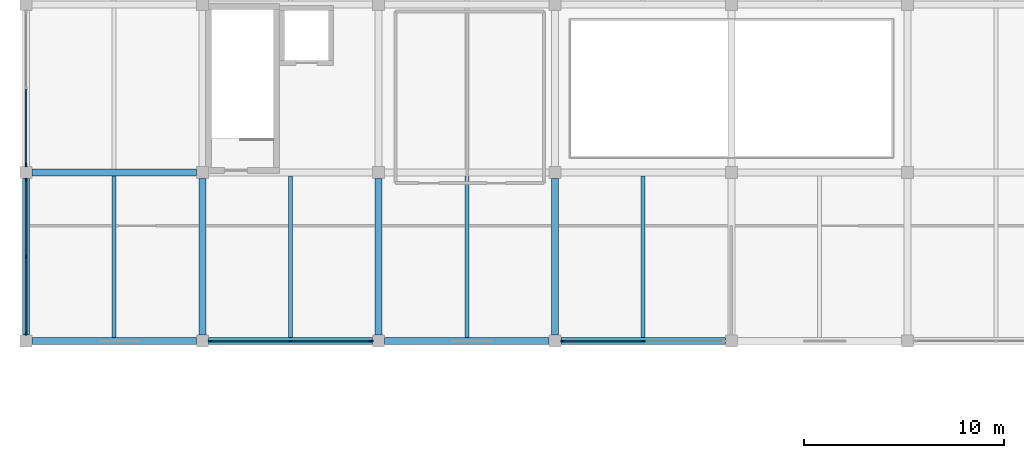
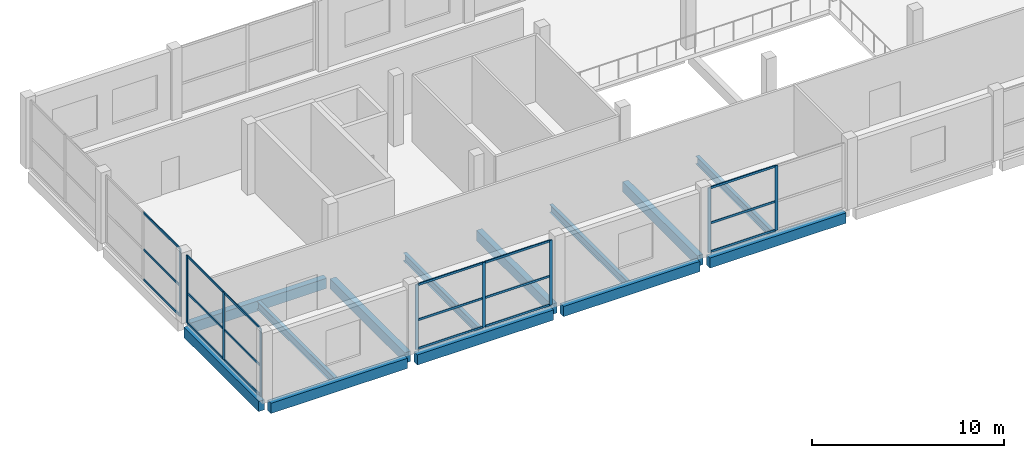
# One storey, part 2 of 18: 27 members, 13 beams, 4 elements without a shape of their own.
"""IFC4 building model written with IfcOpenShell, lengths in metres."""

from ifc_helpers import new_model, si_unit, direction, frame, origin, origin_2d, place, context, subcontext, project, spatial, rectangle, i_section, extrude, material, material_profile, profile_set, type_object, element, aggregate, save


model = new_model("IFC4")

# Units and contexts
model_context = context("Model", 3, precision=1e-05, world=origin(), true_north=direction((0.0, 1.0)))
body_context = subcontext(model_context, "Body", "Model", "MODEL_VIEW")
ifc_project = project(units=[si_unit("LENGTHUNIT", "METRE"), si_unit("AREAUNIT", "SQUARE_METRE"), si_unit("VOLUMEUNIT", "CUBIC_METRE"), si_unit("PLANEANGLEUNIT", "RADIAN"), si_unit("MASSUNIT", "GRAM", prefix="KILO")], contexts=[model_context])

# Site, building, storey
site_placement = place(None, origin())
site = spatial("IfcSite", under=ifc_project, at=site_placement, CompositionType="ELEMENT")
building_placement = place(site_placement, origin())
building = spatial("IfcBuilding", under=site, at=building_placement, Name="Brinegate Botanical Conservatory", CompositionType="ELEMENT")
storey_placement = place(building_placement, frame((0.0, 0.0, 14.699951171875)))
storey = spatial("IfcBuildingStorey", under=building, at=storey_placement, Name="L04", CompositionType="ELEMENT", Elevation=14.699951171875)

# Beams
ifc_material_1 = material(Name="Concrete C40/50", Category="concrete")
ifc_material_profile_1 = material_profile(ifc_material_1, rectangle(XDim=0.35009765625, YDim=0.64990234375, at=origin_2d()), Name="RC BM 350x650")
ifc_profile_set_1 = profile_set([ifc_material_profile_1], Name="Concrete C40/50")
beam_type_1 = type_object("IfcBeamType", Name="Beam_BM-V3", PredefinedType="BEAM", material=ifc_profile_set_1)
beam_1_placement = place(storey_placement, frame((51.10009765625, 86.800048828125, -0.56494140625), z_axis=(1.0, 0.0, 0.0), x_axis=(0.0, 1.0, 0.0)))
element("IfcBeam", 1, at=beam_1_placement, inside=storey, type_object=beam_type_1, Name="Beam BM-V3 L04 L:7-8", PredefinedType="BEAM", context=body_context, shape_type="SweptSolid", body=[
    extrude(rectangle(XDim=0.35009765625, YDim=0.64990234375, at=origin_2d()), origin(), (0.0, 0.0, 1.0), 8.199951171875),
])
beam_2_placement = place(storey_placement, frame((59.89990234375, 86.800048828125, -0.56494140625), z_axis=(1.0, 0.0, 0.0), x_axis=(0.0, 1.0, 0.0)))
element("IfcBeam", 2, at=beam_2_placement, inside=storey, type_object=beam_type_1, Name="Beam BM-V3 L04 L:8-9", PredefinedType="BEAM", context=body_context, shape_type="SweptSolid", body=[
    extrude(rectangle(XDim=0.35009765625, YDim=0.64990234375, at=origin_2d()), origin(), (0.0, 0.0, 1.0), 8.2001953125),
])
for number, where, z_axis, x_axis, name in (
    (3, (68.699951171875, 86.800048828125, -0.56494140625), (1.0, 0.0, 0.0), (0.0, 1.0, 0.0), "Beam BM-V3 L04 L:9-10"),
    (4, (77.5, 86.800048828125, -0.56494140625), (1.0, 0.0, 0.0), (0.0, 1.0, 0.0), "Beam BM-V3 L04 L:10-11"),
    (5, (51.10009765625, 95.199951171875, -0.56494140625), (1.0, 0.0, 0.0), (0.0, 1.0, 0.0), "Beam BM-V3 L04 M:7-8"),
):
    element("IfcBeam", number, at=place(storey_placement, frame(where, z_axis=z_axis, x_axis=x_axis)), inside=storey, type_object=beam_type_1, Name=name, PredefinedType="BEAM", context=body_context, shape_type="SweptSolid", body=[
        extrude(rectangle(XDim=0.35009765625, YDim=0.64990234375, at=origin_2d()), origin(), (0.0, 0.0, 1.0), 8.199951171875),
    ])
for number, where, z_axis, x_axis, name in (
    (6, (50.800048828125, 87.10009765625, -0.56494140625), (0.0, 1.0, 0.0), (-1.0, 0.0, 0.0), "Beam BM-V3 L04 7:L-M"),
    (7, (59.60009765625, 87.10009765625, -0.56494140625), (0.0, 1.0, 0.0), (-1.0, 0.0, 0.0), "Beam BM-V3 L04 8:L-M"),
    (8, (68.39990234375, 87.10009765625, -0.56494140625), (0.0, 1.0, 0.0), (-1.0, 0.0, 0.0), "Beam BM-V3 L04 9:L-M"),
    (9, (77.199951171875, 87.10009765625, -0.56494140625), (0.0, 1.0, 0.0), (-1.0, 0.0, 0.0), "Beam BM-V3 L04 10:L-M"),
):
    element("IfcBeam", number, at=place(storey_placement, frame(where, z_axis=z_axis, x_axis=x_axis)), inside=storey, type_object=beam_type_1, Name=name, PredefinedType="BEAM", context=body_context, shape_type="SweptSolid", body=[
        extrude(rectangle(XDim=0.35009765625, YDim=0.64990234375, at=origin_2d()), origin(), (0.0, 0.0, 1.0), 7.7998046875),
    ])
ifc_material_2 = material(Name="Structural steel Q355B / S355", Category="steel")
ifc_material_profile_2 = material_profile(ifc_material_2, i_section(OverallWidth=0.199951171875, OverallDepth=0.5, WebThickness=0.010009765625, FlangeThickness=0.01611328125, at=origin_2d()), Name="HN 500x200x10x16")
ifc_profile_set_2 = profile_set([ifc_material_profile_2], Name="Structural steel Q355B / S355")
beam_type_2 = type_object("IfcBeamType", Name="Beam_JS-S4", PredefinedType="JOIST", material=ifc_profile_set_2)
for number, where, z_axis, x_axis, name in (
    (10, (55.199951171875, 86.97509765625, -0.489990234375), (0.0, 1.0, 0.0), (-1.0, 0.0, 0.0), "Floor joist JS-S4 L04 bay 7.11"),
    (11, (64.0, 86.97509765625, -0.489990234375), (0.0, 1.0, 0.0), (-1.0, 0.0, 0.0), "Floor joist JS-S4 L04 bay 8.11"),
    (12, (72.800048828125, 86.97509765625, -0.489990234375), (0.0, 1.0, 0.0), (-1.0, 0.0, 0.0), "Floor joist JS-S4 L04 bay 9.11"),
    (13, (81.60009765625, 86.97509765625, -0.489990234375), (0.0, 1.0, 0.0), (-1.0, 0.0, 0.0), "Floor joist JS-S4 L04 bay 10.11"),
):
    element("IfcBeam", number, at=place(storey_placement, frame(where, z_axis=z_axis, x_axis=x_axis)), inside=storey, type_object=beam_type_2, Name=name, PredefinedType="JOIST", context=body_context, shape_type="SweptSolid", body=[
        extrude(i_section(OverallWidth=0.199951171875, OverallDepth=0.5, WebThickness=0.010009765625, FlangeThickness=0.01611328125, at=origin_2d()), origin(), (0.0, 0.0, 1.0), 8.0498046875),
    ])

# Curtain wall, members
ifc_material_3 = material(Name="Thermally broken anodised aluminium AW-6063-T6", Category="aluminium")
curtain_wall_type = type_object("IfcCurtainWallType", Name="CW_CW-V3", PredefinedType="USERDEFINED", material=ifc_material_3)
curtain_wall_1_placement = place(storey_placement, origin())
curtain_wall_1 = element("IfcCurtainWall", 14, at=curtain_wall_1_placement, inside=storey, type_object=curtain_wall_type, Name="Visitor south court curtain wall L04.2", ObjectType="FACTORY CURTAIN WALL", PredefinedType="USERDEFINED")
ifc_material_profile_3 = material_profile(ifc_material_3, rectangle(XDim=0.06494140625, YDim=0.179931640625, at=origin_2d()), Name="ALUM MULLION 65x180")
ifc_profile_set_3 = profile_set([ifc_material_profile_3], Name="Thermally broken anodised aluminium AW-6063-T6")
member_type_1 = type_object("IfcMemberType", Name="Member_ML-02", PredefinedType="MULLION", material=ifc_profile_set_3)
member_1_placement = place(storey_placement, frame((68.027587890625, 86.800048828125, 0.0), z_axis=(0.0, 0.0, 1.0), x_axis=(0.0, -1.0, 0.0)))
member_1 = element("IfcMember", 15, at=member_1_placement, type_object=member_type_1, Name="CW-V3 mullion 1", PredefinedType="MULLION", context=body_context, shape_type="SweptSolid", body=[
    extrude(rectangle(XDim=0.06494140625, YDim=0.179931640625, at=origin_2d()), origin(), (0.0, 0.0, 1.0), 4.125),
])
member_2_placement = place(storey_placement, frame((64.0, 86.800048828125, 0.0), z_axis=(0.0, 0.0, 1.0), x_axis=(0.0, -1.0, 0.0)))
member_2 = element("IfcMember", 16, at=member_2_placement, type_object=member_type_1, Name="CW-V3 mullion 2", PredefinedType="MULLION", context=body_context, shape_type="SweptSolid", body=[
    extrude(rectangle(XDim=0.06494140625, YDim=0.179931640625, at=origin_2d()), origin(), (0.0, 0.0, 1.0), 4.125),
])
member_3_placement = place(storey_placement, frame((59.972412109375, 86.800048828125, 0.0), z_axis=(0.0, 0.0, 1.0), x_axis=(0.0, -1.0, 0.0)))
member_3 = element("IfcMember", 17, at=member_3_placement, type_object=member_type_1, Name="CW-V3 mullion 3", PredefinedType="MULLION", context=body_context, shape_type="SweptSolid", body=[
    extrude(rectangle(XDim=0.06494140625, YDim=0.179931640625, at=origin_2d()), origin(), (0.0, 0.0, 1.0), 4.125),
])

curtain_wall_2_placement = place(storey_placement, origin())
curtain_wall_2 = element("IfcCurtainWall", 18, at=curtain_wall_2_placement, inside=storey, type_object=curtain_wall_type, Name="Visitor south court curtain wall L04.4", ObjectType="FACTORY CURTAIN WALL", PredefinedType="USERDEFINED")
member_4_placement = place(storey_placement, frame((81.60009765625, 86.800048828125, 0.0), z_axis=(0.0, 0.0, 1.0), x_axis=(0.0, -1.0, 0.0)))
member_4 = element("IfcMember", 19, at=member_4_placement, type_object=member_type_1, Name="CW-V3 mullion 2", PredefinedType="MULLION", context=body_context, shape_type="SweptSolid", body=[
    extrude(rectangle(XDim=0.06494140625, YDim=0.179931640625, at=origin_2d()), origin(), (0.0, 0.0, 1.0), 4.125),
])
member_5_placement = place(storey_placement, frame((77.572509765625, 86.800048828125, 0.0), z_axis=(0.0, 0.0, 1.0), x_axis=(0.0, -1.0, 0.0)))
member_5 = element("IfcMember", 20, at=member_5_placement, type_object=member_type_1, Name="CW-V3 mullion 3", PredefinedType="MULLION", context=body_context, shape_type="SweptSolid", body=[
    extrude(rectangle(XDim=0.06494140625, YDim=0.179931640625, at=origin_2d()), origin(), (0.0, 0.0, 1.0), 4.125),
])

curtain_wall_3_placement = place(storey_placement, origin())
curtain_wall_3 = element("IfcCurtainWall", 21, at=curtain_wall_3_placement, inside=storey, type_object=curtain_wall_type, Name="Visitor west forecourt curtain wall L04.1", ObjectType="FACTORY CURTAIN WALL", PredefinedType="USERDEFINED")
member_6_placement = place(storey_placement, frame((50.800048828125, 87.172607421875, 0.0), z_axis=(0.0, 0.0, 1.0), x_axis=(-1.0, 0.0, 0.0)))
member_6 = element("IfcMember", 22, at=member_6_placement, type_object=member_type_1, Name="CW-V3 mullion 1", PredefinedType="MULLION", context=body_context, shape_type="SweptSolid", body=[
    extrude(rectangle(XDim=0.06494140625, YDim=0.179931640625, at=origin_2d()), origin(), (0.0, 0.0, 1.0), 4.300048828125),
])
member_7_placement = place(storey_placement, frame((50.800048828125, 91.0, 0.0), z_axis=(0.0, 0.0, 1.0), x_axis=(-1.0, 0.0, 0.0)))
member_7 = element("IfcMember", 23, at=member_7_placement, type_object=member_type_1, Name="CW-V3 mullion 2", PredefinedType="MULLION", context=body_context, shape_type="SweptSolid", body=[
    extrude(rectangle(XDim=0.06494140625, YDim=0.179931640625, at=origin_2d()), origin(), (0.0, 0.0, 1.0), 4.300048828125),
])
member_8_placement = place(storey_placement, frame((50.800048828125, 94.827392578125, 0.0), z_axis=(0.0, 0.0, 1.0), x_axis=(-1.0, 0.0, 0.0)))
member_8 = element("IfcMember", 24, at=member_8_placement, type_object=member_type_1, Name="CW-V3 mullion 3", PredefinedType="MULLION", context=body_context, shape_type="SweptSolid", body=[
    extrude(rectangle(XDim=0.06494140625, YDim=0.179931640625, at=origin_2d()), origin(), (0.0, 0.0, 1.0), 4.300048828125),
])

# Curtain wall, member
curtain_wall_4_placement = place(storey_placement, origin())
curtain_wall_4 = element("IfcCurtainWall", 25, at=curtain_wall_4_placement, inside=storey, type_object=curtain_wall_type, Name="Visitor west forecourt curtain wall L04.2", ObjectType="FACTORY CURTAIN WALL", PredefinedType="USERDEFINED")
member_9_placement = place(storey_placement, frame((50.800048828125, 95.572509765625, 0.0), z_axis=(0.0, 0.0, 1.0), x_axis=(-1.0, 0.0, 0.0)))
member_9 = element("IfcMember", 26, at=member_9_placement, type_object=member_type_1, Name="CW-V3 mullion 1", PredefinedType="MULLION", context=body_context, shape_type="SweptSolid", body=[
    extrude(rectangle(XDim=0.06494140625, YDim=0.179931640625, at=origin_2d()), origin(), (0.0, 0.0, 1.0), 4.300048828125),
])

# Member
ifc_material_profile_4 = material_profile(ifc_material_3, rectangle(XDim=0.06494140625, YDim=0.135009765625, at=origin_2d()), Name="ALUM TRANSOM 65x135")
ifc_profile_set_4 = profile_set([ifc_material_profile_4], Name="Thermally broken anodised aluminium AW-6063-T6")
member_type_2 = type_object("IfcMemberType", Name="Member_TR-02", PredefinedType="USERDEFINED", material=ifc_profile_set_4)
member_10_placement = place(storey_placement, frame((67.9951171875, 86.800048828125, 0.032470703125), z_axis=(-1.0, 0.0, 0.0), x_axis=(0.0, -1.0, 0.0)))
member_10 = element("IfcMember", 27, at=member_10_placement, type_object=member_type_2, Name="CW-V3 transom 1.1", ObjectType="TRANSOM", PredefinedType="USERDEFINED", context=body_context, shape_type="SweptSolid", body=[
    extrude(rectangle(XDim=0.06494140625, YDim=0.135009765625, at=origin_2d()), origin(), (0.0, 0.0, 1.0), 3.962646484375),
])

member_11_placement = place(storey_placement, frame((67.9951171875, 86.800048828125, 1.85595703125), z_axis=(-1.0, 0.0, 0.0), x_axis=(0.0, -1.0, 0.0)))
member_11 = element("IfcMember", 28, at=member_11_placement, type_object=member_type_2, Name="CW-V3 transom 1.2", ObjectType="TRANSOM", PredefinedType="USERDEFINED", context=body_context, shape_type="SweptSolid", body=[
    extrude(rectangle(XDim=0.06494140625, YDim=0.135009765625, at=origin_2d()), origin(), (0.0, 0.0, 1.0), 3.962646484375),
])

member_12_placement = place(storey_placement, frame((67.9951171875, 86.800048828125, 4.092529296875), z_axis=(-1.0, 0.0, 0.0), x_axis=(0.0, -1.0, 0.0)))
member_12 = element("IfcMember", 29, at=member_12_placement, type_object=member_type_2, Name="CW-V3 transom 1.3", ObjectType="TRANSOM", PredefinedType="USERDEFINED", context=body_context, shape_type="SweptSolid", body=[
    extrude(rectangle(XDim=0.06494140625, YDim=0.135009765625, at=origin_2d()), origin(), (0.0, 0.0, 1.0), 3.962646484375),
])

member_13_placement = place(storey_placement, frame((63.967529296875, 86.800048828125, 0.032470703125), z_axis=(-1.0, 0.0, 0.0), x_axis=(0.0, -1.0, 0.0)))
member_13 = element("IfcMember", 30, at=member_13_placement, type_object=member_type_2, Name="CW-V3 transom 2.1", ObjectType="TRANSOM", PredefinedType="USERDEFINED", context=body_context, shape_type="SweptSolid", body=[
    extrude(rectangle(XDim=0.06494140625, YDim=0.135009765625, at=origin_2d()), origin(), (0.0, 0.0, 1.0), 3.962646484375),
])

member_14_placement = place(storey_placement, frame((63.967529296875, 86.800048828125, 1.85595703125), z_axis=(-1.0, 0.0, 0.0), x_axis=(0.0, -1.0, 0.0)))
member_14 = element("IfcMember", 31, at=member_14_placement, type_object=member_type_2, Name="CW-V3 transom 2.2", ObjectType="TRANSOM", PredefinedType="USERDEFINED", context=body_context, shape_type="SweptSolid", body=[
    extrude(rectangle(XDim=0.06494140625, YDim=0.135009765625, at=origin_2d()), origin(), (0.0, 0.0, 1.0), 3.962646484375),
])

member_15_placement = place(storey_placement, frame((63.967529296875, 86.800048828125, 4.092529296875), z_axis=(-1.0, 0.0, 0.0), x_axis=(0.0, -1.0, 0.0)))
member_15 = element("IfcMember", 32, at=member_15_placement, type_object=member_type_2, Name="CW-V3 transom 2.3", ObjectType="TRANSOM", PredefinedType="USERDEFINED", context=body_context, shape_type="SweptSolid", body=[
    extrude(rectangle(XDim=0.06494140625, YDim=0.135009765625, at=origin_2d()), origin(), (0.0, 0.0, 1.0), 3.962646484375),
])

aggregate(curtain_wall_1, [member_1, member_2, member_3, member_10, member_11, member_12, member_13, member_14, member_15])

member_16_placement = place(storey_placement, frame((81.5673828125, 86.800048828125, 0.032470703125), z_axis=(-1.0, 0.0, 0.0), x_axis=(0.0, -1.0, 0.0)))
member_16 = element("IfcMember", 33, at=member_16_placement, type_object=member_type_2, Name="CW-V3 transom 2.1", ObjectType="TRANSOM", PredefinedType="USERDEFINED", context=body_context, shape_type="SweptSolid", body=[
    extrude(rectangle(XDim=0.06494140625, YDim=0.135009765625, at=origin_2d()), origin(), (0.0, 0.0, 1.0), 3.96240234375),
])

member_17_placement = place(storey_placement, frame((81.5673828125, 86.800048828125, 1.85595703125), z_axis=(-1.0, 0.0, 0.0), x_axis=(0.0, -1.0, 0.0)))
member_17 = element("IfcMember", 34, at=member_17_placement, type_object=member_type_2, Name="CW-V3 transom 2.2", ObjectType="TRANSOM", PredefinedType="USERDEFINED", context=body_context, shape_type="SweptSolid", body=[
    extrude(rectangle(XDim=0.06494140625, YDim=0.135009765625, at=origin_2d()), origin(), (0.0, 0.0, 1.0), 3.96240234375),
])

member_18_placement = place(storey_placement, frame((81.5673828125, 86.800048828125, 4.092529296875), z_axis=(-1.0, 0.0, 0.0), x_axis=(0.0, -1.0, 0.0)))
member_18 = element("IfcMember", 35, at=member_18_placement, type_object=member_type_2, Name="CW-V3 transom 2.3", ObjectType="TRANSOM", PredefinedType="USERDEFINED", context=body_context, shape_type="SweptSolid", body=[
    extrude(rectangle(XDim=0.06494140625, YDim=0.135009765625, at=origin_2d()), origin(), (0.0, 0.0, 1.0), 3.96240234375),
])

aggregate(curtain_wall_2, [member_4, member_5, member_16, member_17, member_18])

member_19_placement = place(storey_placement, frame((50.800048828125, 87.205078125, 0.032470703125), z_axis=(0.0, 1.0, 0.0), x_axis=(-1.0, 0.0, 0.0)))
member_19 = element("IfcMember", 36, at=member_19_placement, type_object=member_type_2, Name="CW-V3 transom 1.1", ObjectType="TRANSOM", PredefinedType="USERDEFINED", context=body_context, shape_type="SweptSolid", body=[
    extrude(rectangle(XDim=0.06494140625, YDim=0.135009765625, at=origin_2d()), origin(), (0.0, 0.0, 1.0), 3.762451171875),
])

member_20_placement = place(storey_placement, frame((50.800048828125, 87.205078125, 1.93505859375), z_axis=(0.0, 1.0, 0.0), x_axis=(-1.0, 0.0, 0.0)))
member_20 = element("IfcMember", 37, at=member_20_placement, type_object=member_type_2, Name="CW-V3 transom 1.2", ObjectType="TRANSOM", PredefinedType="USERDEFINED", context=body_context, shape_type="SweptSolid", body=[
    extrude(rectangle(XDim=0.06494140625, YDim=0.135009765625, at=origin_2d()), origin(), (0.0, 0.0, 1.0), 3.762451171875),
])

member_21_placement = place(storey_placement, frame((50.800048828125, 87.205078125, 4.267578125), z_axis=(0.0, 1.0, 0.0), x_axis=(-1.0, 0.0, 0.0)))
member_21 = element("IfcMember", 38, at=member_21_placement, type_object=member_type_2, Name="CW-V3 transom 1.3", ObjectType="TRANSOM", PredefinedType="USERDEFINED", context=body_context, shape_type="SweptSolid", body=[
    extrude(rectangle(XDim=0.06494140625, YDim=0.135009765625, at=origin_2d()), origin(), (0.0, 0.0, 1.0), 3.762451171875),
])

member_22_placement = place(storey_placement, frame((50.800048828125, 91.032470703125, 0.032470703125), z_axis=(0.0, 1.0, 0.0), x_axis=(-1.0, 0.0, 0.0)))
member_22 = element("IfcMember", 39, at=member_22_placement, type_object=member_type_2, Name="CW-V3 transom 2.1", ObjectType="TRANSOM", PredefinedType="USERDEFINED", context=body_context, shape_type="SweptSolid", body=[
    extrude(rectangle(XDim=0.06494140625, YDim=0.135009765625, at=origin_2d()), origin(), (0.0, 0.0, 1.0), 3.762451171875),
])

member_23_placement = place(storey_placement, frame((50.800048828125, 91.032470703125, 1.93505859375), z_axis=(0.0, 1.0, 0.0), x_axis=(-1.0, 0.0, 0.0)))
member_23 = element("IfcMember", 40, at=member_23_placement, type_object=member_type_2, Name="CW-V3 transom 2.2", ObjectType="TRANSOM", PredefinedType="USERDEFINED", context=body_context, shape_type="SweptSolid", body=[
    extrude(rectangle(XDim=0.06494140625, YDim=0.135009765625, at=origin_2d()), origin(), (0.0, 0.0, 1.0), 3.762451171875),
])

member_24_placement = place(storey_placement, frame((50.800048828125, 91.032470703125, 4.267578125), z_axis=(0.0, 1.0, 0.0), x_axis=(-1.0, 0.0, 0.0)))
member_24 = element("IfcMember", 41, at=member_24_placement, type_object=member_type_2, Name="CW-V3 transom 2.3", ObjectType="TRANSOM", PredefinedType="USERDEFINED", context=body_context, shape_type="SweptSolid", body=[
    extrude(rectangle(XDim=0.06494140625, YDim=0.135009765625, at=origin_2d()), origin(), (0.0, 0.0, 1.0), 3.762451171875),
])

aggregate(curtain_wall_3, [member_6, member_7, member_8, member_19, member_20, member_21, member_22, member_23, member_24])

member_25_placement = place(storey_placement, frame((50.800048828125, 95.60498046875, 0.032470703125), z_axis=(0.0, 1.0, 0.0), x_axis=(-1.0, 0.0, 0.0)))
member_25 = element("IfcMember", 42, at=member_25_placement, type_object=member_type_2, Name="CW-V3 transom 1.1", ObjectType="TRANSOM", PredefinedType="USERDEFINED", context=body_context, shape_type="SweptSolid", body=[
    extrude(rectangle(XDim=0.06494140625, YDim=0.135009765625, at=origin_2d()), origin(), (0.0, 0.0, 1.0), 3.762451171875),
])

member_26_placement = place(storey_placement, frame((50.800048828125, 95.60498046875, 1.93505859375), z_axis=(0.0, 1.0, 0.0), x_axis=(-1.0, 0.0, 0.0)))
member_26 = element("IfcMember", 43, at=member_26_placement, type_object=member_type_2, Name="CW-V3 transom 1.2", ObjectType="TRANSOM", PredefinedType="USERDEFINED", context=body_context, shape_type="SweptSolid", body=[
    extrude(rectangle(XDim=0.06494140625, YDim=0.135009765625, at=origin_2d()), origin(), (0.0, 0.0, 1.0), 3.762451171875),
])

member_27_placement = place(storey_placement, frame((50.800048828125, 95.60498046875, 4.267578125), z_axis=(0.0, 1.0, 0.0), x_axis=(-1.0, 0.0, 0.0)))
member_27 = element("IfcMember", 44, at=member_27_placement, type_object=member_type_2, Name="CW-V3 transom 1.3", ObjectType="TRANSOM", PredefinedType="USERDEFINED", context=body_context, shape_type="SweptSolid", body=[
    extrude(rectangle(XDim=0.06494140625, YDim=0.135009765625, at=origin_2d()), origin(), (0.0, 0.0, 1.0), 3.762451171875),
])

aggregate(curtain_wall_4, [member_9, member_25, member_26, member_27])

save(model, "model.ifc")
